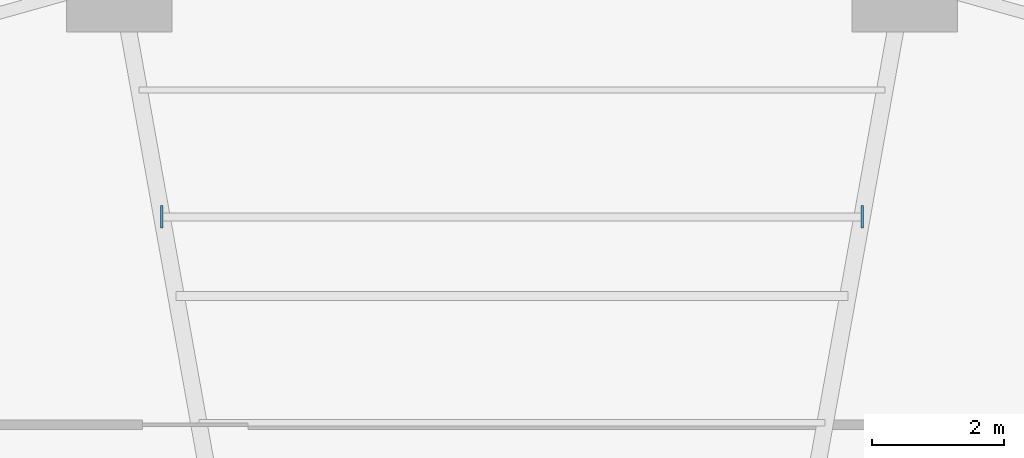
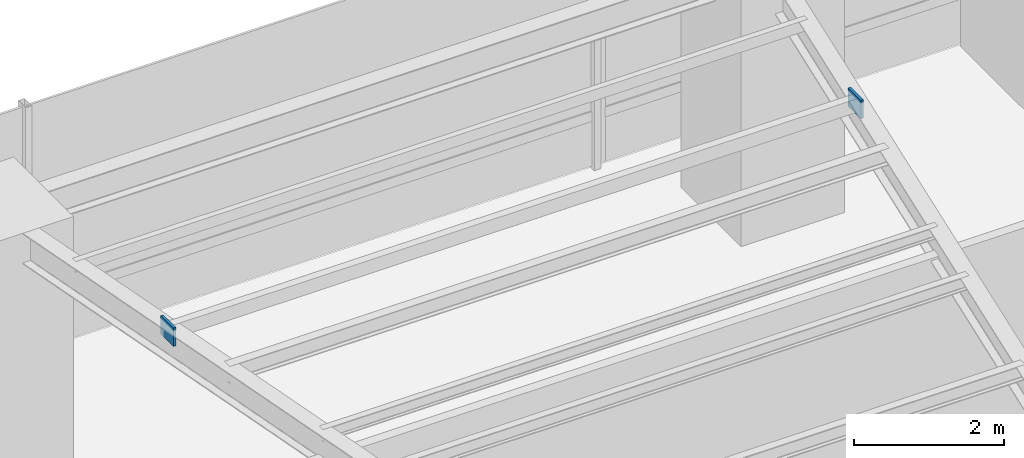
# One storey, part 15 of 23: 2 plates.
"""IFC4 building model written with IfcOpenShell, lengths in metres."""

from ifc_helpers import new_model, si_unit, direction, frame, origin, origin_2d, place, context, subcontext, project, spatial, rectangle, extrude, source, transform, mapped, material, type_object, element, save


model = new_model("IFC4")

# Units and contexts
model_context = context("Model", 3, precision=1e-05, world=origin(), true_north=direction((0.0, 1.0)))
body_context = subcontext(model_context, "Body", "Model", "MODEL_VIEW")
ifc_project = project(units=[si_unit("LENGTHUNIT", "METRE"), si_unit("AREAUNIT", "SQUARE_METRE"), si_unit("VOLUMEUNIT", "CUBIC_METRE"), si_unit("PLANEANGLEUNIT", "RADIAN"), si_unit("MASSUNIT", "GRAM", prefix="KILO")], contexts=[model_context])

# Site, building, storey
site_placement = place(None, origin())
site = spatial("IfcSite", under=ifc_project, at=site_placement, CompositionType="ELEMENT")
building_placement = place(site_placement, origin())
building = spatial("IfcBuilding", under=site, at=building_placement, Name="Sahyath Konkavel Grand Hotel", CompositionType="ELEMENT")
storey_placement = place(building_placement, frame((0.0, 0.0, 4.800048828125)))
storey = spatial("IfcBuildingStorey", under=building, at=storey_placement, Name="L01", CompositionType="ELEMENT", Elevation=4.800048828125)

# Plates
ifc_material = material(Name="Steel E450", Category="steel")
plate_type = type_object("IfcPlateType", Name="GUSSET-END-35", PredefinedType="USERDEFINED", material=ifc_material)
shared_shape = source(origin(), body_context, "Body", "SweptSolid", [
    extrude(rectangle(XDim=0.0400390625, YDim=0.340087890625, at=origin_2d()), origin(), (0.0, 0.0, 1.0), 0.300048828125),
])
for number, where, z_axis, x_axis, name in (
    (1, (5.304931640625, 18.60009765625, 3.83984375), (0.0, 0.0, 1.0), (-1.0, 0.0, 0.0), "L01 Sub-Beam N-5 End Cap A"),
    (2, (-5.304931640625, 18.60009765625, 3.83984375), (0.0, 0.0, 1.0), (-1.0, 0.0, 0.0), "L01 Sub-Beam N-5 End Cap B"),
):
    element("IfcPlate", number, at=place(storey_placement, frame(where, z_axis=z_axis, x_axis=x_axis)), inside=storey, type_object=plate_type, Name=name, ObjectType="GUSSET_PLATE", PredefinedType="USERDEFINED", context=body_context, shape_type="MappedRepresentation", body=[
        mapped(shared_shape, transform((0.0, 0.0, 0.0), scale=1.0)),
    ])

save(model, "model.ifc")
